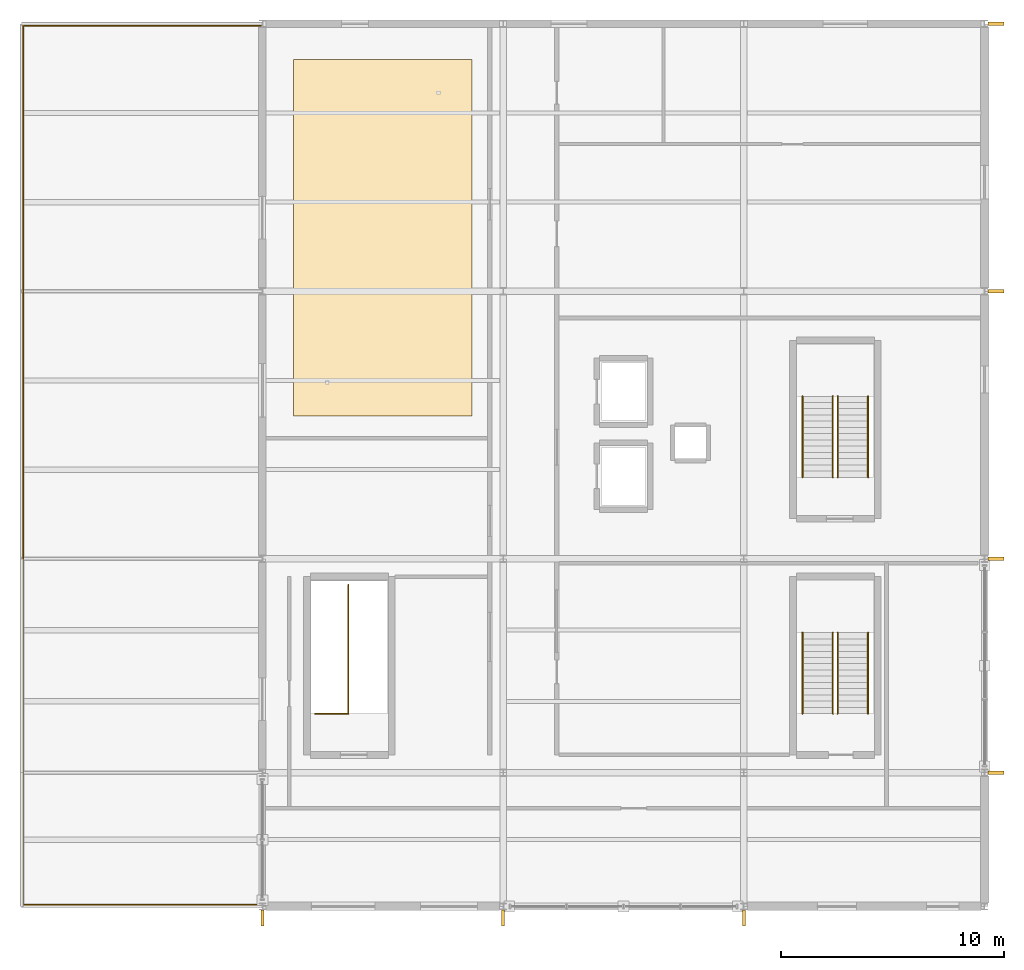
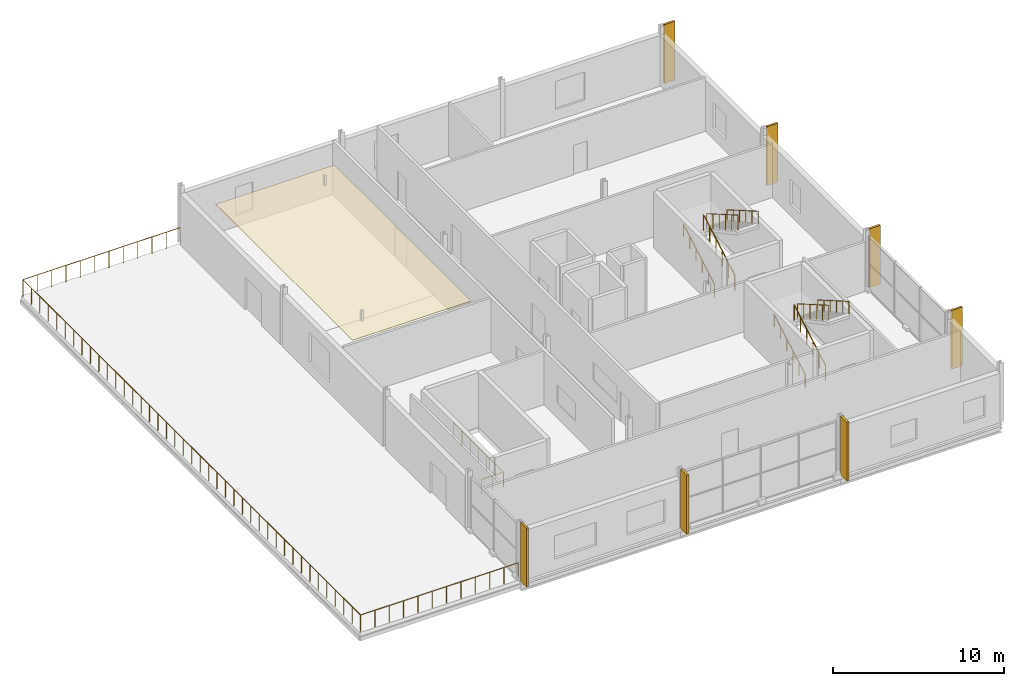
# One storey, part 13 of 13: 10 railings, 8 coverings.
"""IFC4 building model written with IfcOpenShell, lengths in metres."""

from ifc_helpers import new_model, si_unit, direction, frame, origin, origin_2d, place, context, subcontext, project, spatial, polyline, circle, outline, extrude, material, layer, layer_set, type_object, element, save


model = new_model("IFC4")

# Units and contexts
model_context = context("Model", 3, precision=1e-05, world=origin(), true_north=direction((0.0, 1.0)))
body_context = subcontext(model_context, "Body", "Model", "MODEL_VIEW")
ifc_project = project(units=[si_unit("LENGTHUNIT", "METRE"), si_unit("AREAUNIT", "SQUARE_METRE"), si_unit("VOLUMEUNIT", "CUBIC_METRE"), si_unit("PLANEANGLEUNIT", "RADIAN"), si_unit("MASSUNIT", "GRAM", prefix="KILO")], contexts=[model_context])

# Site, building, storey
site_placement = place(None, origin())
site = spatial("IfcSite", under=ifc_project, at=site_placement, CompositionType="ELEMENT")
building_placement = place(site_placement, origin())
building = spatial("IfcBuilding", under=site, at=building_placement, Name="Merenkruunu Market Hall", CompositionType="ELEMENT")
storey_placement = place(building_placement, frame((0.0, 0.0, 14.39990234375)))
storey = spatial("IfcBuildingStorey", under=building, at=storey_placement, Name="L03", CompositionType="ELEMENT", Elevation=14.39990234375)

# Coverings
ifc_material_1 = material(Name="Precast concrete C40/50", Category="concrete")
ifc_layer_1 = layer(ifc_material_1, 0.139892578125)
ifc_layer_set_1 = layer_set([ifc_layer_1], Name="Precast concrete C40/50")
covering_type_1 = type_object("IfcCoveringType", Name="Architectural Precast Sun Fin CLD02", PredefinedType="CLADDING", material=ifc_layer_set_1)
covering_1_placement = place(storey_placement, origin())
element("IfcCovering", 1, at=covering_1_placement, inside=storey, type_object=covering_type_1, Name="FIN-S-L03-071", PredefinedType="CLADDING", context=body_context, shape_type="SweptSolid", body=[
    extrude(outline(polyline([(159.530029296875, -0.8701171875), (159.669921875, -0.8701171875), (159.669921875, -0.14794921875), (159.530029296875, -0.14794921875), (159.530029296875, -0.8701171875)])), origin(), (0.0, 0.0, 1.0), 4.2001953125),
])
covering_2_placement = place(storey_placement, origin())
element("IfcCovering", 2, at=covering_2_placement, inside=storey, type_object=covering_type_1, Name="FIN-S-L03-076", PredefinedType="CLADDING", context=body_context, shape_type="SweptSolid", body=[
    extrude(outline(polyline([(170.330078125, -0.8701171875), (170.469970703125, -0.8701171875), (170.469970703125, -0.14794921875), (170.330078125, -0.14794921875), (170.330078125, -0.8701171875)])), origin(), (0.0, 0.0, 1.0), 4.2001953125),
])
covering_3_placement = place(storey_placement, origin())
element("IfcCovering", 3, at=covering_3_placement, inside=storey, type_object=covering_type_1, Name="FIN-S-L03-081", PredefinedType="CLADDING", context=body_context, shape_type="SweptSolid", body=[
    extrude(outline(polyline([(181.1298828125, -0.8701171875), (181.27001953125, -0.8701171875), (181.27001953125, -0.14794921875), (181.1298828125, -0.14794921875), (181.1298828125, -0.8701171875)])), origin(), (0.0, 0.0, 1.0), 4.2001953125),
])
covering_4_placement = place(storey_placement, origin())
element("IfcCovering", 4, at=covering_4_placement, inside=storey, type_object=covering_type_1, Name="FIN-E-L03-086", PredefinedType="CLADDING", context=body_context, shape_type="SweptSolid", body=[
    extrude(outline(polyline([(192.14794921875, 5.929931640625), (192.8701171875, 5.929931640625), (192.8701171875, 6.070068359375), (192.14794921875, 6.070068359375), (192.14794921875, 5.929931640625)])), origin(), (0.0, 0.0, 1.0), 4.2001953125),
])
covering_5_placement = place(storey_placement, origin())
element("IfcCovering", 5, at=covering_5_placement, inside=storey, type_object=covering_type_1, Name="FIN-E-L03-091", PredefinedType="CLADDING", context=body_context, shape_type="SweptSolid", body=[
    extrude(outline(polyline([(192.14794921875, 15.530029296875), (192.8701171875, 15.530029296875), (192.8701171875, 15.669921875), (192.14794921875, 15.669921875), (192.14794921875, 15.530029296875)])), origin(), (0.0, 0.0, 1.0), 4.2001953125),
])
covering_6_placement = place(storey_placement, origin())
element("IfcCovering", 6, at=covering_6_placement, inside=storey, type_object=covering_type_1, Name="FIN-E-L03-096", PredefinedType="CLADDING", context=body_context, shape_type="SweptSolid", body=[
    extrude(outline(polyline([(192.14794921875, 27.530029296875), (192.8701171875, 27.530029296875), (192.8701171875, 27.669921875), (192.14794921875, 27.669921875), (192.14794921875, 27.530029296875)])), origin(), (0.0, 0.0, 1.0), 4.2001953125),
])
covering_7_placement = place(storey_placement, origin())
element("IfcCovering", 7, at=covering_7_placement, inside=storey, type_object=covering_type_1, Name="FIN-E-L03-101", PredefinedType="CLADDING", context=body_context, shape_type="SweptSolid", body=[
    extrude(outline(polyline([(192.14794921875, 39.530029296875), (192.8701171875, 39.530029296875), (192.8701171875, 39.669921875), (192.14794921875, 39.669921875), (192.14794921875, 39.530029296875)])), origin(), (0.0, 0.0, 1.0), 4.2001953125),
])

# Railings
ifc_material_2 = material(Name="Brushed stainless steel", Category="steel")
railing_type_1 = type_object("IfcRailingType", Name="Gallery Balustrade Guard GR01", PredefinedType="BALUSTRADE", material=ifc_material_2)
railing_1_placement = place(storey_placement, frame((185.18994140625, 8.64990234375, 0.0)))
element("IfcRailing", 8, at=railing_1_placement, inside=storey, type_object=railing_type_1, Name="RAIL-L03-0049", PredefinedType="BALUSTRADE", context=body_context, shape_type="SweptSolid", body=[
    extrude(circle(Radius=0.02392578125, at=origin_2d()), frame((0.0, 0.0, 1.076171875), z_axis=(0.0, 0.86618365172, 0.499725806311), x_axis=(-1.0, 0.0, 0.0)), (0.0, 0.0, 1.0), 4.202392578125),
    extrude(circle(Radius=0.02099609375, at=origin_2d()), origin(), (0.0, 0.0, 1.0), 1.052001953125),
    extrude(circle(Radius=0.02099609375, at=origin_2d()), frame((0.0, 0.72802734375, 0.419921875)), (0.0, 0.0, 1.0), 1.052001953125),
    extrude(circle(Radius=0.02099609375, at=origin_2d()), frame((0.0, 1.4560546875, 0.840087890625)), (0.0, 0.0, 1.0), 1.052001953125),
    extrude(circle(Radius=0.02099609375, at=origin_2d()), frame((0.0, 2.18408203125, 1.260009765625)), (0.0, 0.0, 1.0), 1.052001953125),
    extrude(circle(Radius=0.02099609375, at=origin_2d()), frame((0.0, 2.912109375, 1.68017578125)), (0.0, 0.0, 1.0), 1.052001953125),
    extrude(circle(Radius=0.02099609375, at=origin_2d()), frame((0.0, 3.64013671875, 2.10009765625)), (0.0, 0.0, 1.0), 1.052001953125),
])
railing_2_placement = place(storey_placement, frame((185.409912109375, 12.2900390625, 2.10009765625)))
element("IfcRailing", 9, at=railing_2_placement, inside=storey, type_object=railing_type_1, Name="RAIL-L03-0050", PredefinedType="BALUSTRADE", context=body_context, shape_type="SweptSolid", body=[
    extrude(circle(Radius=0.02392578125, at=origin_2d()), frame((0.0, 0.0, 1.076171875), z_axis=(0.0, -0.86618365172, 0.499725806311), x_axis=(1.0, 0.0, 0.0)), (0.0, 0.0, 1.0), 4.202392578125),
    extrude(circle(Radius=0.02099609375, at=origin_2d()), origin(), (0.0, 0.0, 1.0), 1.052001953125),
    extrude(circle(Radius=0.02099609375, at=origin_2d()), frame((0.0, -0.72802734375, 0.419921875)), (0.0, 0.0, 1.0), 1.052001953125),
    extrude(circle(Radius=0.02099609375, at=origin_2d()), frame((0.0, -1.4560546875, 0.840087890625)), (0.0, 0.0, 1.0), 1.052001953125),
    extrude(circle(Radius=0.02099609375, at=origin_2d()), frame((0.0, -2.18408203125, 1.260009765625)), (0.0, 0.0, 1.0), 1.052001953125),
    extrude(circle(Radius=0.02099609375, at=origin_2d()), frame((0.0, -2.912109375, 1.68017578125)), (0.0, 0.0, 1.0), 1.052001953125),
    extrude(circle(Radius=0.02099609375, at=origin_2d()), frame((0.0, -3.64013671875, 2.10009765625)), (0.0, 0.0, 1.0), 1.052001953125),
])
railing_3_placement = place(storey_placement, frame((185.18994140625, 19.25, 0.0)))
element("IfcRailing", 10, at=railing_3_placement, inside=storey, type_object=railing_type_1, Name="RAIL-L03-0066", PredefinedType="BALUSTRADE", context=body_context, shape_type="SweptSolid", body=[
    extrude(circle(Radius=0.02392578125, at=origin_2d()), frame((0.0, 0.0, 1.076171875), z_axis=(0.0, 0.866169143014, 0.499750953666), x_axis=(-1.0, 0.0, 0.0)), (0.0, 0.0, 1.0), 4.202392578125),
    extrude(circle(Radius=0.02099609375, at=origin_2d()), origin(), (0.0, 0.0, 1.0), 1.052001953125),
    extrude(circle(Radius=0.02099609375, at=origin_2d()), frame((0.0, 0.72802734375, 0.419921875)), (0.0, 0.0, 1.0), 1.052001953125),
    extrude(circle(Radius=0.02099609375, at=origin_2d()), frame((0.0, 1.4560546875, 0.840087890625)), (0.0, 0.0, 1.0), 1.052001953125),
    extrude(circle(Radius=0.02099609375, at=origin_2d()), frame((0.0, 2.183837890625, 1.260009765625)), (0.0, 0.0, 1.0), 1.052001953125),
    extrude(circle(Radius=0.02099609375, at=origin_2d()), frame((0.0, 2.911865234375, 1.68017578125)), (0.0, 0.0, 1.0), 1.052001953125),
    extrude(circle(Radius=0.02099609375, at=origin_2d()), frame((0.0, 3.639892578125, 2.10009765625)), (0.0, 0.0, 1.0), 1.052001953125),
])
railing_4_placement = place(storey_placement, frame((185.409912109375, 22.889892578125, 2.10009765625)))
element("IfcRailing", 11, at=railing_4_placement, inside=storey, type_object=railing_type_1, Name="RAIL-L03-0067", PredefinedType="BALUSTRADE", context=body_context, shape_type="SweptSolid", body=[
    extrude(circle(Radius=0.02392578125, at=origin_2d()), frame((0.0, 0.0, 1.076171875), z_axis=(0.0, -0.866169143014, 0.499750953666), x_axis=(1.0, 0.0, 0.0)), (0.0, 0.0, 1.0), 4.202392578125),
    extrude(circle(Radius=0.02099609375, at=origin_2d()), origin(), (0.0, 0.0, 1.0), 1.052001953125),
    extrude(circle(Radius=0.02099609375, at=origin_2d()), frame((0.0, -0.72802734375, 0.419921875)), (0.0, 0.0, 1.0), 1.052001953125),
    extrude(circle(Radius=0.02099609375, at=origin_2d()), frame((0.0, -1.4560546875, 0.840087890625)), (0.0, 0.0, 1.0), 1.052001953125),
    extrude(circle(Radius=0.02099609375, at=origin_2d()), frame((0.0, -2.183837890625, 1.260009765625)), (0.0, 0.0, 1.0), 1.052001953125),
    extrude(circle(Radius=0.02099609375, at=origin_2d()), frame((0.0, -2.911865234375, 1.68017578125)), (0.0, 0.0, 1.0), 1.052001953125),
    extrude(circle(Radius=0.02099609375, at=origin_2d()), frame((0.0, -3.639892578125, 2.10009765625)), (0.0, 0.0, 1.0), 1.052001953125),
])
railing_5_placement = place(storey_placement, frame((161.9599609375, 8.639892578125, 0.0)))
element("IfcRailing", 12, at=railing_5_placement, inside=storey, type_object=railing_type_1, Name="RAIL-L03-0093", PredefinedType="BALUSTRADE", context=body_context, shape_type="SweptSolid", body=[
    extrude(circle(Radius=0.02392578125, at=origin_2d()), frame((0.0, 0.0, 1.076171875), z_axis=(1.0, 0.0, 0.0), x_axis=(0.0, 1.0, 0.0)), (0.0, 0.0, 1.0), 1.5),
    extrude(circle(Radius=0.02392578125, at=origin_2d()), frame((1.5, 0.0, 1.076171875), z_axis=(0.0, 1.0, 0.0), x_axis=(-1.0, 0.0, 0.0)), (0.0, 0.0, 1.0), 5.800048828125),
    extrude(circle(Radius=0.02099609375, at=origin_2d()), origin(), (0.0, 0.0, 1.0), 1.052001953125),
    extrude(circle(Radius=0.02099609375, at=origin_2d()), frame((0.75, 0.0, 0.0)), (0.0, 0.0, 1.0), 1.052001953125),
    extrude(circle(Radius=0.02099609375, at=origin_2d()), frame((1.5, 0.0, 0.0)), (0.0, 0.0, 1.0), 1.052001953125),
    extrude(circle(Radius=0.02099609375, at=origin_2d()), frame((1.5, 0.966796875, 0.0)), (0.0, 0.0, 1.0), 1.052001953125),
    extrude(circle(Radius=0.02099609375, at=origin_2d()), frame((1.5, 1.933349609375, 0.0)), (0.0, 0.0, 1.0), 1.052001953125),
    extrude(circle(Radius=0.02099609375, at=origin_2d()), frame((1.5, 2.89990234375, 0.0)), (0.0, 0.0, 1.0), 1.052001953125),
    extrude(circle(Radius=0.02099609375, at=origin_2d()), frame((1.5, 3.86669921875, 0.0)), (0.0, 0.0, 1.0), 1.052001953125),
    extrude(circle(Radius=0.02099609375, at=origin_2d()), frame((1.5, 4.83349609375, 0.0)), (0.0, 0.0, 1.0), 1.052001953125),
    extrude(circle(Radius=0.02099609375, at=origin_2d()), frame((1.5, 5.800048828125, 0.0)), (0.0, 0.0, 1.0), 1.052001953125),
])
ifc_material_3 = material(Name="Laminated safety glass", Category="glass")
railing_type_2 = type_object("IfcRailingType", Name="High Drop Balustrade Guard GR02", PredefinedType="BALUSTRADE", material=ifc_material_3)
railing_6_placement = place(storey_placement, frame((159.52001953125, 0.080078125, 0.0)))
element("IfcRailing", 13, at=railing_6_placement, inside=storey, type_object=railing_type_2, Name="RAIL-L03-0137", PredefinedType="BALUSTRADE", context=body_context, shape_type="SweptSolid", body=[
    extrude(circle(Radius=0.02392578125, at=origin_2d()), frame((0.0, 0.0, 1.17578125), z_axis=(-1.0, 0.0, 0.0), x_axis=(0.0, -1.0, 0.0)), (0.0, 0.0, 1.0), 10.64013671875),
    extrude(circle(Radius=0.02392578125, at=origin_2d()), frame((-10.64013671875, 0.0, 1.17578125), z_axis=(0.0, 1.0, 0.0), x_axis=(-1.0, 0.0, 0.0)), (0.0, 0.0, 1.0), 39.43994140625),
    extrude(circle(Radius=0.02392578125, at=origin_2d()), frame((-10.64013671875, 39.43994140625, 1.17578125), z_axis=(1.0, 0.0, 0.0), x_axis=(0.0, 1.0, 0.0)), (0.0, 0.0, 1.0), 10.64013671875),
    extrude(circle(Radius=0.02099609375, at=origin_2d()), origin(), (0.0, 0.0, 1.0), 1.15185546875),
    extrude(circle(Radius=0.02099609375, at=origin_2d()), frame((-0.96728515625, 0.0, 0.0)), (0.0, 0.0, 1.0), 1.15185546875),
    extrude(circle(Radius=0.02099609375, at=origin_2d()), frame((-1.9345703125, 0.0, 0.0)), (0.0, 0.0, 1.0), 1.15185546875),
    extrude(circle(Radius=0.02099609375, at=origin_2d()), frame((-2.90185546875, 0.0, 0.0)), (0.0, 0.0, 1.0), 1.15185546875),
    extrude(circle(Radius=0.02099609375, at=origin_2d()), frame((-3.869140625, 0.0, 0.0)), (0.0, 0.0, 1.0), 1.15185546875),
    extrude(circle(Radius=0.02099609375, at=origin_2d()), frame((-4.83642578125, 0.0, 0.0)), (0.0, 0.0, 1.0), 1.15185546875),
    extrude(circle(Radius=0.02099609375, at=origin_2d()), frame((-5.8037109375, 0.0, 0.0)), (0.0, 0.0, 1.0), 1.15185546875),
    extrude(circle(Radius=0.02099609375, at=origin_2d()), frame((-6.77099609375, 0.0, 0.0)), (0.0, 0.0, 1.0), 1.15185546875),
    extrude(circle(Radius=0.02099609375, at=origin_2d()), frame((-7.73828125, 0.0, 0.0)), (0.0, 0.0, 1.0), 1.15185546875),
    extrude(circle(Radius=0.02099609375, at=origin_2d()), frame((-8.70556640625, 0.0, 0.0)), (0.0, 0.0, 1.0), 1.15185546875),
    extrude(circle(Radius=0.02099609375, at=origin_2d()), frame((-9.6728515625, 0.0, 0.0)), (0.0, 0.0, 1.0), 1.15185546875),
    extrude(circle(Radius=0.02099609375, at=origin_2d()), frame((-10.64013671875, 0.0, 0.0)), (0.0, 0.0, 1.0), 1.15185546875),
    extrude(circle(Radius=0.02099609375, at=origin_2d()), frame((-10.64013671875, 0.986083984375, 0.0)), (0.0, 0.0, 1.0), 1.15185546875),
    extrude(circle(Radius=0.02099609375, at=origin_2d()), frame((-10.64013671875, 1.971923828125, 0.0)), (0.0, 0.0, 1.0), 1.15185546875),
    extrude(circle(Radius=0.02099609375, at=origin_2d()), frame((-10.64013671875, 2.9580078125, 0.0)), (0.0, 0.0, 1.0), 1.15185546875),
    extrude(circle(Radius=0.02099609375, at=origin_2d()), frame((-10.64013671875, 3.944091796875, 0.0)), (0.0, 0.0, 1.0), 1.15185546875),
    extrude(circle(Radius=0.02099609375, at=origin_2d()), frame((-10.64013671875, 4.929931640625, 0.0)), (0.0, 0.0, 1.0), 1.15185546875),
    extrude(circle(Radius=0.02099609375, at=origin_2d()), frame((-10.64013671875, 5.916015625, 0.0)), (0.0, 0.0, 1.0), 1.15185546875),
    extrude(circle(Radius=0.02099609375, at=origin_2d()), frame((-10.64013671875, 6.902099609375, 0.0)), (0.0, 0.0, 1.0), 1.15185546875),
    extrude(circle(Radius=0.02099609375, at=origin_2d()), frame((-10.64013671875, 7.887939453125, 0.0)), (0.0, 0.0, 1.0), 1.15185546875),
    extrude(circle(Radius=0.02099609375, at=origin_2d()), frame((-10.64013671875, 8.8740234375, 0.0)), (0.0, 0.0, 1.0), 1.15185546875),
    extrude(circle(Radius=0.02099609375, at=origin_2d()), frame((-10.64013671875, 9.85986328125, 0.0)), (0.0, 0.0, 1.0), 1.15185546875),
    extrude(circle(Radius=0.02099609375, at=origin_2d()), frame((-10.64013671875, 10.845947265625, 0.0)), (0.0, 0.0, 1.0), 1.15185546875),
    extrude(circle(Radius=0.02099609375, at=origin_2d()), frame((-10.64013671875, 11.83203125, 0.0)), (0.0, 0.0, 1.0), 1.15185546875),
    extrude(circle(Radius=0.02099609375, at=origin_2d()), frame((-10.64013671875, 12.81787109375, 0.0)), (0.0, 0.0, 1.0), 1.15185546875),
    extrude(circle(Radius=0.02099609375, at=origin_2d()), frame((-10.64013671875, 13.803955078125, 0.0)), (0.0, 0.0, 1.0), 1.15185546875),
    extrude(circle(Radius=0.02099609375, at=origin_2d()), frame((-10.64013671875, 14.7900390625, 0.0)), (0.0, 0.0, 1.0), 1.15185546875),
    extrude(circle(Radius=0.02099609375, at=origin_2d()), frame((-10.64013671875, 15.77587890625, 0.0)), (0.0, 0.0, 1.0), 1.15185546875),
    extrude(circle(Radius=0.02099609375, at=origin_2d()), frame((-10.64013671875, 16.761962890625, 0.0)), (0.0, 0.0, 1.0), 1.15185546875),
    extrude(circle(Radius=0.02099609375, at=origin_2d()), frame((-10.64013671875, 17.748046875, 0.0)), (0.0, 0.0, 1.0), 1.15185546875),
    extrude(circle(Radius=0.02099609375, at=origin_2d()), frame((-10.64013671875, 18.73388671875, 0.0)), (0.0, 0.0, 1.0), 1.15185546875),
    extrude(circle(Radius=0.02099609375, at=origin_2d()), frame((-10.64013671875, 19.719970703125, 0.0)), (0.0, 0.0, 1.0), 1.15185546875),
    extrude(circle(Radius=0.02099609375, at=origin_2d()), frame((-10.64013671875, 20.7060546875, 0.0)), (0.0, 0.0, 1.0), 1.15185546875),
    extrude(circle(Radius=0.02099609375, at=origin_2d()), frame((-10.64013671875, 21.69189453125, 0.0)), (0.0, 0.0, 1.0), 1.15185546875),
    extrude(circle(Radius=0.02099609375, at=origin_2d()), frame((-10.64013671875, 22.677978515625, 0.0)), (0.0, 0.0, 1.0), 1.15185546875),
    extrude(circle(Radius=0.02099609375, at=origin_2d()), frame((-10.64013671875, 23.6640625, 0.0)), (0.0, 0.0, 1.0), 1.15185546875),
    extrude(circle(Radius=0.02099609375, at=origin_2d()), frame((-10.64013671875, 24.64990234375, 0.0)), (0.0, 0.0, 1.0), 1.15185546875),
    extrude(circle(Radius=0.02099609375, at=origin_2d()), frame((-10.64013671875, 25.635986328125, 0.0)), (0.0, 0.0, 1.0), 1.15185546875),
    extrude(circle(Radius=0.02099609375, at=origin_2d()), frame((-10.64013671875, 26.6220703125, 0.0)), (0.0, 0.0, 1.0), 1.15185546875),
    extrude(circle(Radius=0.02099609375, at=origin_2d()), frame((-10.64013671875, 27.60791015625, 0.0)), (0.0, 0.0, 1.0), 1.15185546875),
    extrude(circle(Radius=0.02099609375, at=origin_2d()), frame((-10.64013671875, 28.593994140625, 0.0)), (0.0, 0.0, 1.0), 1.15185546875),
    extrude(circle(Radius=0.02099609375, at=origin_2d()), frame((-10.64013671875, 29.580078125, 0.0)), (0.0, 0.0, 1.0), 1.15185546875),
    extrude(circle(Radius=0.02099609375, at=origin_2d()), frame((-10.64013671875, 30.56591796875, 0.0)), (0.0, 0.0, 1.0), 1.15185546875),
    extrude(circle(Radius=0.02099609375, at=origin_2d()), frame((-10.64013671875, 31.552001953125, 0.0)), (0.0, 0.0, 1.0), 1.15185546875),
    extrude(circle(Radius=0.02099609375, at=origin_2d()), frame((-10.64013671875, 32.537841796875, 0.0)), (0.0, 0.0, 1.0), 1.15185546875),
    extrude(circle(Radius=0.02099609375, at=origin_2d()), frame((-10.64013671875, 33.52392578125, 0.0)), (0.0, 0.0, 1.0), 1.15185546875),
    extrude(circle(Radius=0.02099609375, at=origin_2d()), frame((-10.64013671875, 34.510009765625, 0.0)), (0.0, 0.0, 1.0), 1.15185546875),
    extrude(circle(Radius=0.02099609375, at=origin_2d()), frame((-10.64013671875, 35.495849609375, 0.0)), (0.0, 0.0, 1.0), 1.15185546875),
    extrude(circle(Radius=0.02099609375, at=origin_2d()), frame((-10.64013671875, 36.48193359375, 0.0)), (0.0, 0.0, 1.0), 1.15185546875),
    extrude(circle(Radius=0.02099609375, at=origin_2d()), frame((-10.64013671875, 37.468017578125, 0.0)), (0.0, 0.0, 1.0), 1.15185546875),
    extrude(circle(Radius=0.02099609375, at=origin_2d()), frame((-10.64013671875, 38.453857421875, 0.0)), (0.0, 0.0, 1.0), 1.15185546875),
    extrude(circle(Radius=0.02099609375, at=origin_2d()), frame((-10.64013671875, 39.43994140625, 0.0)), (0.0, 0.0, 1.0), 1.15185546875),
    extrude(circle(Radius=0.02099609375, at=origin_2d()), frame((-9.6728515625, 39.43994140625, 0.0)), (0.0, 0.0, 1.0), 1.15185546875),
    extrude(circle(Radius=0.02099609375, at=origin_2d()), frame((-8.70556640625, 39.43994140625, 0.0)), (0.0, 0.0, 1.0), 1.15185546875),
    extrude(circle(Radius=0.02099609375, at=origin_2d()), frame((-7.73828125, 39.43994140625, 0.0)), (0.0, 0.0, 1.0), 1.15185546875),
    extrude(circle(Radius=0.02099609375, at=origin_2d()), frame((-6.77099609375, 39.43994140625, 0.0)), (0.0, 0.0, 1.0), 1.15185546875),
    extrude(circle(Radius=0.02099609375, at=origin_2d()), frame((-5.8037109375, 39.43994140625, 0.0)), (0.0, 0.0, 1.0), 1.15185546875),
    extrude(circle(Radius=0.02099609375, at=origin_2d()), frame((-4.83642578125, 39.43994140625, 0.0)), (0.0, 0.0, 1.0), 1.15185546875),
    extrude(circle(Radius=0.02099609375, at=origin_2d()), frame((-3.869140625, 39.43994140625, 0.0)), (0.0, 0.0, 1.0), 1.15185546875),
    extrude(circle(Radius=0.02099609375, at=origin_2d()), frame((-2.90185546875, 39.43994140625, 0.0)), (0.0, 0.0, 1.0), 1.15185546875),
    extrude(circle(Radius=0.02099609375, at=origin_2d()), frame((-1.9345703125, 39.43994140625, 0.0)), (0.0, 0.0, 1.0), 1.15185546875),
    extrude(circle(Radius=0.02099609375, at=origin_2d()), frame((-0.96728515625, 39.43994140625, 0.0)), (0.0, 0.0, 1.0), 1.15185546875),
    extrude(circle(Radius=0.02099609375, at=origin_2d()), frame((0.0, 39.43994140625, 0.0)), (0.0, 0.0, 1.0), 1.15185546875),
])

# Covering
ifc_material_4 = material(Name="Acoustic mineral wool panel")
ifc_layer_2 = layer(ifc_material_4, 0.034912109375)
ifc_layer_set_2 = layer_set([ifc_layer_2], Name="Acoustic mineral wool panel")
covering_type_2 = type_object("IfcCoveringType", Name="Hygienic Mineral Ceiling CLG02", PredefinedType="CEILING", material=ifc_layer_set_2)
covering_8_placement = place(storey_placement, frame((0.0, 0.0, 3.2001953125)))
element("IfcCovering", 14, at=covering_8_placement, inside=storey, type_object=covering_type_2, Name="COV-CLG-L03-1", PredefinedType="CEILING", context=body_context, shape_type="SweptSolid", body=[
    extrude(outline(polyline([(161.0, 22.0), (161.0, 38.0), (169.0, 38.0), (169.0, 22.0), (161.0, 22.0)])), origin(), (0.0, 0.0, 1.0), 0.034912109375),
])

# Railings
railing_type_3 = type_object("IfcRailingType", Name="Stair Pitch Handrail HR01", PredefinedType="HANDRAIL", material=ifc_material_2)
railing_7_placement = place(storey_placement, frame((183.830078125, 8.64990234375, 0.0)))
element("IfcRailing", 15, at=railing_7_placement, inside=storey, type_object=railing_type_3, Name="RAIL-L03-0051", PredefinedType="HANDRAIL", context=body_context, shape_type="SweptSolid", body=[
    extrude(circle(Radius=0.02392578125, at=origin_2d()), frame((0.0, 0.0, 0.8759765625), z_axis=(0.0, 0.86618365172, 0.499725806311), x_axis=(-1.0, 0.0, 0.0)), (0.0, 0.0, 1.0), 4.202392578125),
    extrude(circle(Radius=0.02099609375, at=origin_2d()), origin(), (0.0, 0.0, 1.0), 0.851806640625),
    extrude(circle(Radius=0.02099609375, at=origin_2d()), frame((0.0, 0.72802734375, 0.419921875)), (0.0, 0.0, 1.0), 0.851806640625),
    extrude(circle(Radius=0.02099609375, at=origin_2d()), frame((0.0, 1.4560546875, 0.840087890625)), (0.0, 0.0, 1.0), 0.851806640625),
    extrude(circle(Radius=0.02099609375, at=origin_2d()), frame((0.0, 2.18408203125, 1.260009765625)), (0.0, 0.0, 1.0), 0.851806640625),
    extrude(circle(Radius=0.02099609375, at=origin_2d()), frame((0.0, 2.912109375, 1.68017578125)), (0.0, 0.0, 1.0), 0.851806640625),
    extrude(circle(Radius=0.02099609375, at=origin_2d()), frame((0.0, 3.64013671875, 2.10009765625)), (0.0, 0.0, 1.0), 0.851806640625),
])
railing_8_placement = place(storey_placement, frame((186.77001953125, 12.2900390625, 2.10009765625)))
element("IfcRailing", 16, at=railing_8_placement, inside=storey, type_object=railing_type_3, Name="RAIL-L03-0052", PredefinedType="HANDRAIL", context=body_context, shape_type="SweptSolid", body=[
    extrude(circle(Radius=0.02392578125, at=origin_2d()), frame((0.0, 0.0, 0.8759765625), z_axis=(0.0, -0.86618365172, 0.499725806311), x_axis=(1.0, 0.0, 0.0)), (0.0, 0.0, 1.0), 4.202392578125),
    extrude(circle(Radius=0.02099609375, at=origin_2d()), origin(), (0.0, 0.0, 1.0), 0.851806640625),
    extrude(circle(Radius=0.02099609375, at=origin_2d()), frame((0.0, -0.72802734375, 0.419921875)), (0.0, 0.0, 1.0), 0.851806640625),
    extrude(circle(Radius=0.02099609375, at=origin_2d()), frame((0.0, -1.4560546875, 0.840087890625)), (0.0, 0.0, 1.0), 0.851806640625),
    extrude(circle(Radius=0.02099609375, at=origin_2d()), frame((0.0, -2.18408203125, 1.260009765625)), (0.0, 0.0, 1.0), 0.851806640625),
    extrude(circle(Radius=0.02099609375, at=origin_2d()), frame((0.0, -2.912109375, 1.68017578125)), (0.0, 0.0, 1.0), 0.851806640625),
    extrude(circle(Radius=0.02099609375, at=origin_2d()), frame((0.0, -3.64013671875, 2.10009765625)), (0.0, 0.0, 1.0), 0.851806640625),
])
railing_9_placement = place(storey_placement, frame((183.830078125, 19.25, 0.0)))
element("IfcRailing", 17, at=railing_9_placement, inside=storey, type_object=railing_type_3, Name="RAIL-L03-0068", PredefinedType="HANDRAIL", context=body_context, shape_type="SweptSolid", body=[
    extrude(circle(Radius=0.02392578125, at=origin_2d()), frame((0.0, 0.0, 0.8759765625), z_axis=(0.0, 0.866169143014, 0.499750953666), x_axis=(-1.0, 0.0, 0.0)), (0.0, 0.0, 1.0), 4.202392578125),
    extrude(circle(Radius=0.02099609375, at=origin_2d()), origin(), (0.0, 0.0, 1.0), 0.851806640625),
    extrude(circle(Radius=0.02099609375, at=origin_2d()), frame((0.0, 0.72802734375, 0.419921875)), (0.0, 0.0, 1.0), 0.851806640625),
    extrude(circle(Radius=0.02099609375, at=origin_2d()), frame((0.0, 1.4560546875, 0.840087890625)), (0.0, 0.0, 1.0), 0.851806640625),
    extrude(circle(Radius=0.02099609375, at=origin_2d()), frame((0.0, 2.183837890625, 1.260009765625)), (0.0, 0.0, 1.0), 0.851806640625),
    extrude(circle(Radius=0.02099609375, at=origin_2d()), frame((0.0, 2.911865234375, 1.68017578125)), (0.0, 0.0, 1.0), 0.851806640625),
    extrude(circle(Radius=0.02099609375, at=origin_2d()), frame((0.0, 3.639892578125, 2.10009765625)), (0.0, 0.0, 1.0), 0.851806640625),
])
railing_10_placement = place(storey_placement, frame((186.77001953125, 22.889892578125, 2.10009765625)))
element("IfcRailing", 18, at=railing_10_placement, inside=storey, type_object=railing_type_3, Name="RAIL-L03-0069", PredefinedType="HANDRAIL", context=body_context, shape_type="SweptSolid", body=[
    extrude(circle(Radius=0.02392578125, at=origin_2d()), frame((0.0, 0.0, 0.8759765625), z_axis=(0.0, -0.866169143014, 0.499750953666), x_axis=(1.0, 0.0, 0.0)), (0.0, 0.0, 1.0), 4.202392578125),
    extrude(circle(Radius=0.02099609375, at=origin_2d()), origin(), (0.0, 0.0, 1.0), 0.851806640625),
    extrude(circle(Radius=0.02099609375, at=origin_2d()), frame((0.0, -0.72802734375, 0.419921875)), (0.0, 0.0, 1.0), 0.851806640625),
    extrude(circle(Radius=0.02099609375, at=origin_2d()), frame((0.0, -1.4560546875, 0.840087890625)), (0.0, 0.0, 1.0), 0.851806640625),
    extrude(circle(Radius=0.02099609375, at=origin_2d()), frame((0.0, -2.183837890625, 1.260009765625)), (0.0, 0.0, 1.0), 0.851806640625),
    extrude(circle(Radius=0.02099609375, at=origin_2d()), frame((0.0, -2.911865234375, 1.68017578125)), (0.0, 0.0, 1.0), 0.851806640625),
    extrude(circle(Radius=0.02099609375, at=origin_2d()), frame((0.0, -3.639892578125, 2.10009765625)), (0.0, 0.0, 1.0), 0.851806640625),
])

save(model, "model.ifc")
